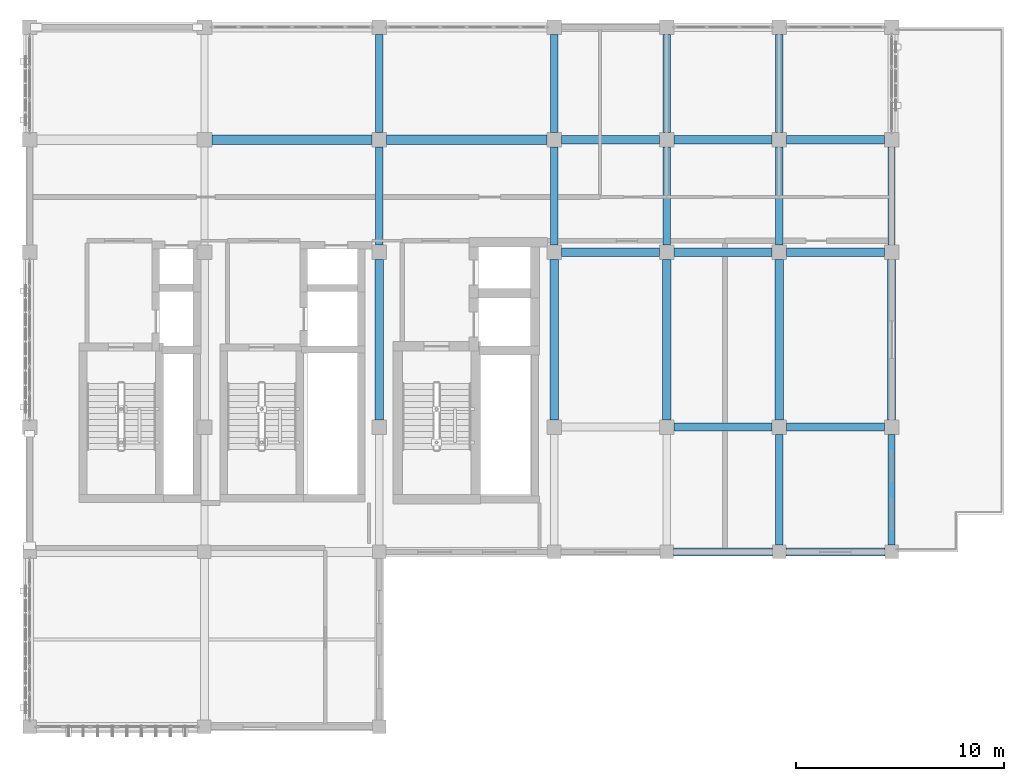
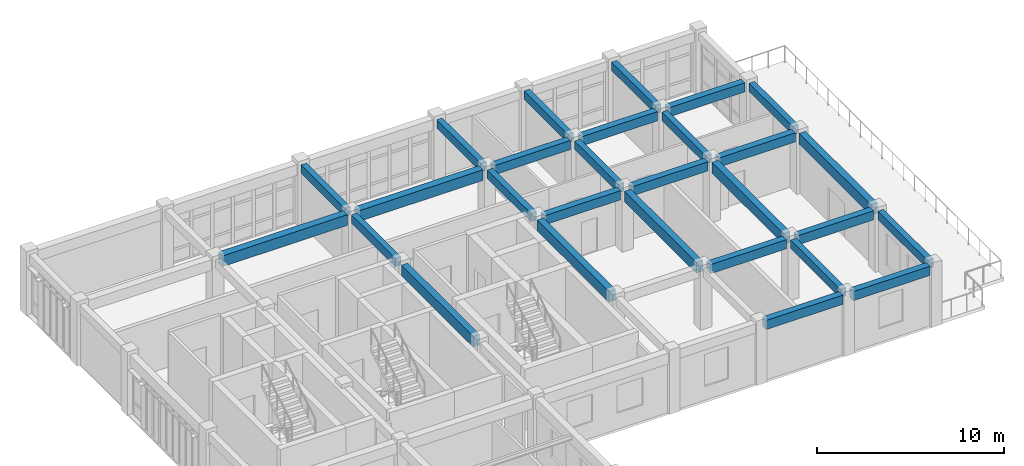
# One storey, part 11 of 22: 28 beams.
"""IFC4 building model written with IfcOpenShell, lengths in metres."""

from ifc_helpers import new_model, si_unit, direction, frame, origin, origin_2d, place, context, subcontext, project, spatial, rectangle, extrude, material, material_profile, profile_set, type_object, element, save


model = new_model("IFC4")

# Units and contexts
model_context = context("Model", 3, precision=1e-05, world=origin(), true_north=direction((0.0, 1.0)))
body_context = subcontext(model_context, "Body", "Model", "MODEL_VIEW")
ifc_project = project(units=[si_unit("LENGTHUNIT", "METRE"), si_unit("AREAUNIT", "SQUARE_METRE"), si_unit("VOLUMEUNIT", "CUBIC_METRE"), si_unit("PLANEANGLEUNIT", "RADIAN"), si_unit("MASSUNIT", "GRAM", prefix="KILO")], contexts=[model_context])

# Site, building, storey
site_placement = place(None, origin())
site = spatial("IfcSite", under=ifc_project, at=site_placement, CompositionType="ELEMENT")
building_placement = place(site_placement, origin())
building = spatial("IfcBuilding", under=site, at=building_placement, Name="Krzemoval Escarpment Law Courts", CompositionType="ELEMENT")
storey_placement = place(building_placement, frame((0.0, 0.0, 29.39990234375)))
storey = spatial("IfcBuildingStorey", under=building, at=storey_placement, Name="L06", CompositionType="ELEMENT", Elevation=29.39990234375)

# Beams
ifc_material_1 = material(Name="Concrete C40/50", Category="concrete")
ifc_material_profile_1 = material_profile(ifc_material_1, rectangle(XDim=0.35009765625, YDim=0.550048828125, at=origin_2d()), Name="RCB 350x550")
ifc_profile_set_1 = profile_set([ifc_material_profile_1], Name="Concrete C40/50")
beam_type_1 = type_object("IfcBeamType", Name="BM-RC-350x550", PredefinedType="BEAM", material=ifc_profile_set_1)
for number, where, z_axis, x_axis, name in (
    (1, (142.800048828125, 108.35009765625, 3.675048828125), (0.0, 1.0, 0.0), (-1.0, 0.0, 0.0), "Beam FG-L06-2673"),
    (2, (142.800048828125, 113.75, 3.675048828125), (0.0, 1.0, 0.0), (-1.0, 0.0, 0.0), "Beam FG-L06-2674"),
    (3, (151.199951171875, 108.35009765625, 3.675048828125), (0.0, 1.0, 0.0), (-1.0, 0.0, 0.0), "Beam FG-L06-2677"),
    (4, (151.199951171875, 113.75, 3.675048828125), (0.0, 1.0, 0.0), (-1.0, 0.0, 0.0), "Beam FG-L06-2678"),
    (5, (156.60009765625, 108.35009765625, 3.675048828125), (0.0, 1.0, 0.0), (-1.0, 0.0, 0.0), "Beam FG-L06-2681"),
    (6, (156.60009765625, 113.75, 3.675048828125), (0.0, 1.0, 0.0), (-1.0, 0.0, 0.0), "Beam FG-L06-2682"),
):
    element("IfcBeam", number, at=place(storey_placement, frame(where, z_axis=z_axis, x_axis=x_axis)), inside=storey, type_object=beam_type_1, Name=name, PredefinedType="BEAM", context=body_context, shape_type="SweptSolid", body=[
        extrude(rectangle(XDim=0.35009765625, YDim=0.550048828125, at=origin_2d()), origin(), (0.0, 0.0, 1.0), 4.699951171875),
    ])
beam_1_placement = place(storey_placement, frame((162.0, 93.925048828125, 3.675048828125), z_axis=(0.0, 1.0, 0.0), x_axis=(-1.0, 0.0, 0.0)))
element("IfcBeam", 7, at=beam_1_placement, inside=storey, type_object=beam_type_1, Name="Beam FG-L06-2683", PredefinedType="BEAM", context=body_context, shape_type="SweptSolid", body=[
    extrude(rectangle(XDim=0.35009765625, YDim=0.550048828125, at=origin_2d()), origin(), (0.0, 0.0, 1.0), 5.324951171875),
])
for number, where, z_axis, x_axis, name in (
    (8, (162.0, 108.35009765625, 3.675048828125), (0.0, 1.0, 0.0), (-1.0, 0.0, 0.0), "Beam FG-L06-2685"),
    (9, (162.0, 113.75, 3.675048828125), (0.0, 1.0, 0.0), (-1.0, 0.0, 0.0), "Beam FG-L06-2686"),
):
    element("IfcBeam", number, at=place(storey_placement, frame(where, z_axis=z_axis, x_axis=x_axis)), inside=storey, type_object=beam_type_1, Name=name, PredefinedType="BEAM", context=body_context, shape_type="SweptSolid", body=[
        extrude(rectangle(XDim=0.35009765625, YDim=0.550048828125, at=origin_2d()), origin(), (0.0, 0.0, 1.0), 4.699951171875),
    ])
beam_2_placement = place(storey_placement, frame((167.39990234375, 93.925048828125, 3.675048828125), z_axis=(0.0, 1.0, 0.0), x_axis=(-1.0, 0.0, 0.0)))
element("IfcBeam", 10, at=beam_2_placement, inside=storey, type_object=beam_type_1, Name="Beam FG-L06-2687", PredefinedType="BEAM", context=body_context, shape_type="SweptSolid", body=[
    extrude(rectangle(XDim=0.35009765625, YDim=0.550048828125, at=origin_2d()), origin(), (0.0, 0.0, 1.0), 5.324951171875),
])
beam_3_placement = place(storey_placement, frame((167.39990234375, 108.35009765625, 3.675048828125), z_axis=(0.0, 1.0, 0.0), x_axis=(-1.0, 0.0, 0.0)))
element("IfcBeam", 11, at=beam_3_placement, inside=storey, type_object=beam_type_1, Name="Beam FG-L06-2689", PredefinedType="BEAM", context=body_context, shape_type="SweptSolid", body=[
    extrude(rectangle(XDim=0.35009765625, YDim=0.550048828125, at=origin_2d()), origin(), (0.0, 0.0, 1.0), 4.699951171875),
])
ifc_material_2 = material(Name="Concrete C40/50", Category="concrete")
ifc_material_profile_2 = material_profile(ifc_material_2, rectangle(XDim=0.39990234375, YDim=0.60009765625, at=origin_2d()), Name="RCB 400x600")
ifc_profile_set_2 = profile_set([ifc_material_profile_2], Name="Concrete C40/50")
beam_type_2 = type_object("IfcBeamType", Name="BM-RC-400x600", PredefinedType="BEAM", material=ifc_profile_set_2)
for number, where, z_axis, x_axis, name in (
    (12, (156.925048828125, 93.60009765625, 3.650146484375), (1.0, 0.0, 0.0), (0.0, 1.0, 0.0), "Beam FG-L06-2640"),
    (13, (162.324951171875, 93.60009765625, 3.650146484375), (1.0, 0.0, 0.0), (0.0, 1.0, 0.0), "Beam FG-L06-2641"),
):
    element("IfcBeam", number, at=place(storey_placement, frame(where, z_axis=z_axis, x_axis=x_axis)), inside=storey, type_object=beam_type_2, Name=name, PredefinedType="BEAM", context=body_context, shape_type="SweptSolid", body=[
        extrude(rectangle(XDim=0.39990234375, YDim=0.60009765625, at=origin_2d()), origin(), (0.0, 0.0, 1.0), 4.75),
    ])
for number, where, z_axis, x_axis, name in (
    (14, (156.949951171875, 99.60009765625, 3.650146484375), (1.0, 0.0, 0.0), (0.0, 1.0, 0.0), "Beam FG-L06-2643"),
    (15, (162.35009765625, 99.60009765625, 3.650146484375), (1.0, 0.0, 0.0), (0.0, 1.0, 0.0), "Beam FG-L06-2644"),
    (16, (151.550048828125, 108.0, 3.650146484375), (1.0, 0.0, 0.0), (0.0, 1.0, 0.0), "Beam FG-L06-2645"),
    (17, (156.949951171875, 108.0, 3.650146484375), (1.0, 0.0, 0.0), (0.0, 1.0, 0.0), "Beam FG-L06-2646"),
    (18, (162.35009765625, 108.0, 3.650146484375), (1.0, 0.0, 0.0), (0.0, 1.0, 0.0), "Beam FG-L06-2647"),
    (19, (151.550048828125, 113.39990234375, 3.650146484375), (1.0, 0.0, 0.0), (0.0, 1.0, 0.0), "Beam FG-L06-2651"),
    (20, (156.949951171875, 113.39990234375, 3.650146484375), (1.0, 0.0, 0.0), (0.0, 1.0, 0.0), "Beam FG-L06-2652"),
    (21, (162.35009765625, 113.39990234375, 3.650146484375), (1.0, 0.0, 0.0), (0.0, 1.0, 0.0), "Beam FG-L06-2653"),
):
    element("IfcBeam", number, at=place(storey_placement, frame(where, z_axis=z_axis, x_axis=x_axis)), inside=storey, type_object=beam_type_2, Name=name, PredefinedType="BEAM", context=body_context, shape_type="SweptSolid", body=[
        extrude(rectangle(XDim=0.39990234375, YDim=0.60009765625, at=origin_2d()), origin(), (0.0, 0.0, 1.0), 4.699951171875),
    ])
ifc_material_3 = material(Name="Concrete C40/50", Category="concrete")
ifc_material_profile_3 = material_profile(ifc_material_3, rectangle(XDim=0.39990234375, YDim=0.699951171875, at=origin_2d()), Name="RCB 400x700")
ifc_profile_set_3 = profile_set([ifc_material_profile_3], Name="Concrete C40/50")
beam_type_3 = type_object("IfcBeamType", Name="BM-RC-400x700", PredefinedType="BEAM", material=ifc_profile_set_3)
for number, where, z_axis, x_axis, name in (
    (22, (142.800048828125, 99.949951171875, 3.60009765625), (0.0, 1.0, 0.0), (-1.0, 0.0, 0.0), "Beam FG-L06-2672"),
    (23, (151.199951171875, 99.949951171875, 3.60009765625), (0.0, 1.0, 0.0), (-1.0, 0.0, 0.0), "Beam FG-L06-2676"),
    (24, (156.60009765625, 99.949951171875, 3.60009765625), (0.0, 1.0, 0.0), (-1.0, 0.0, 0.0), "Beam FG-L06-2680"),
    (25, (162.0, 99.949951171875, 3.60009765625), (0.0, 1.0, 0.0), (-1.0, 0.0, 0.0), "Beam FG-L06-2684"),
    (26, (167.39990234375, 99.949951171875, 3.60009765625), (0.0, 1.0, 0.0), (-1.0, 0.0, 0.0), "Beam FG-L06-2688"),
):
    element("IfcBeam", number, at=place(storey_placement, frame(where, z_axis=z_axis, x_axis=x_axis)), inside=storey, type_object=beam_type_3, Name=name, PredefinedType="BEAM", context=body_context, shape_type="SweptSolid", body=[
        extrude(rectangle(XDim=0.39990234375, YDim=0.699951171875, at=origin_2d()), origin(), (0.0, 0.0, 1.0), 7.699951171875),
    ])
ifc_material_4 = material(Name="Concrete C40/50", Category="concrete")
ifc_material_profile_4 = material_profile(ifc_material_4, rectangle(XDim=0.449951171875, YDim=0.699951171875, at=origin_2d()), Name="RCB 450x700")
ifc_profile_set_4 = profile_set([ifc_material_profile_4], Name="Concrete C40/50")
beam_type_4 = type_object("IfcBeamType", Name="BM-RC-450x700", PredefinedType="BEAM", material=ifc_profile_set_4)
beam_4_placement = place(storey_placement, frame((134.75, 113.39990234375, 3.60009765625), z_axis=(1.0, 0.0, 0.0), x_axis=(0.0, 1.0, 0.0)))
element("IfcBeam", 27, at=beam_4_placement, inside=storey, type_object=beam_type_4, Name="Beam FG-L06-2649", PredefinedType="BEAM", context=body_context, shape_type="SweptSolid", body=[
    extrude(rectangle(XDim=0.449951171875, YDim=0.699951171875, at=origin_2d()), origin(), (0.0, 0.0, 1.0), 7.699951171875),
])
beam_5_placement = place(storey_placement, frame((143.14990234375, 113.39990234375, 3.60009765625), z_axis=(1.0, 0.0, 0.0), x_axis=(0.0, 1.0, 0.0)))
element("IfcBeam", 28, at=beam_5_placement, inside=storey, type_object=beam_type_4, Name="Beam FG-L06-2650", PredefinedType="BEAM", context=body_context, shape_type="SweptSolid", body=[
    extrude(rectangle(XDim=0.449951171875, YDim=0.699951171875, at=origin_2d()), origin(), (0.0, 0.0, 1.0), 7.7001953125),
])

save(model, "model.ifc")
